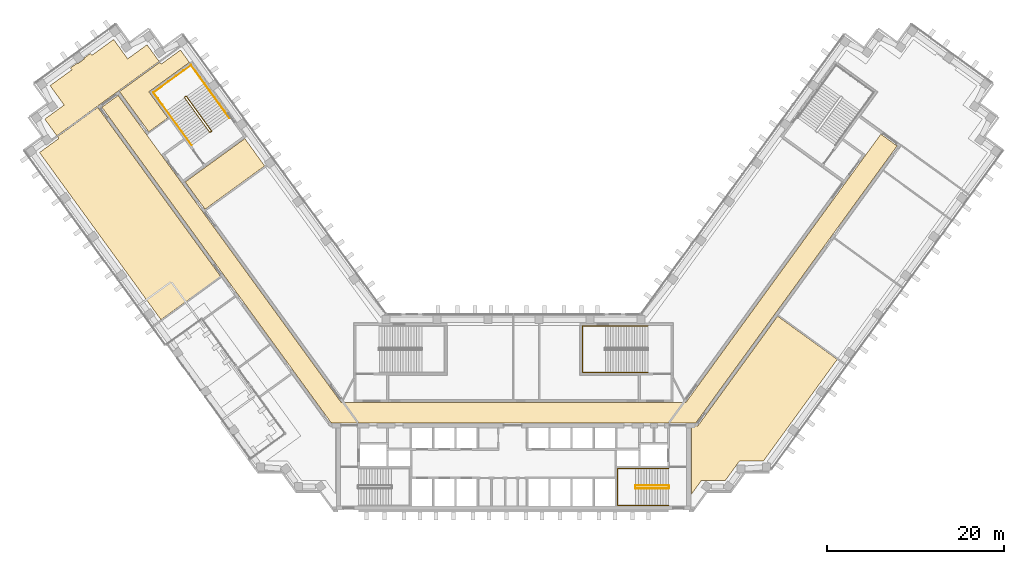
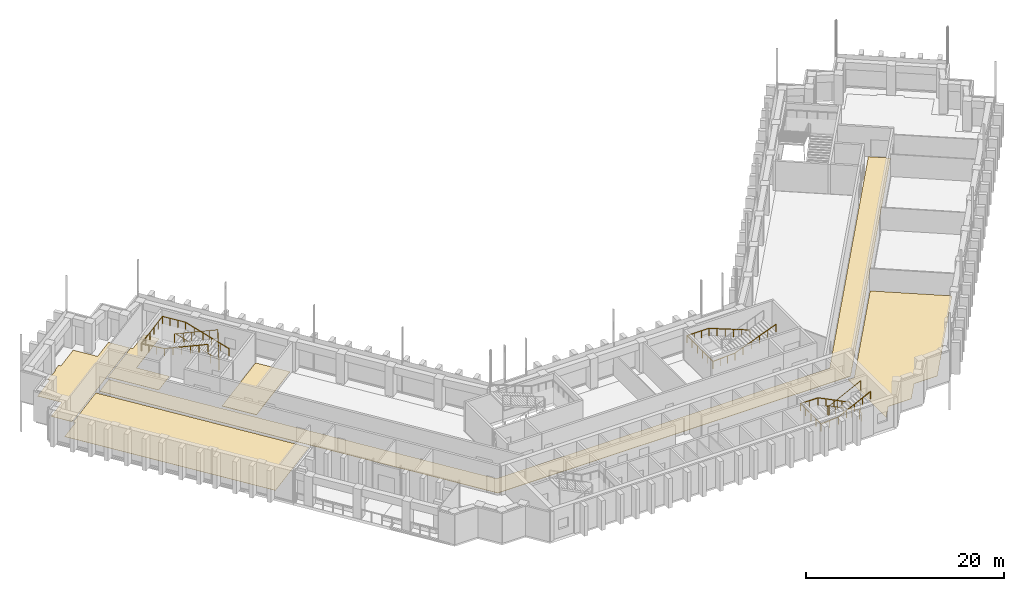
# One storey, part 17 of 18: 6 coverings, 5 railings.
"""IFC4 building model written with IfcOpenShell, lengths in metres."""

from ifc_helpers import new_model, si_unit, direction, frame, origin, origin_2d, place, context, subcontext, project, spatial, polyline, circle, outline, extrude, material, layer, layer_set, type_object, element, save


model = new_model("IFC4")

# Units and contexts
model_context = context("Model", 3, precision=1e-05, world=origin(), true_north=direction((0.0, 1.0)))
body_context = subcontext(model_context, "Body", "Model", "MODEL_VIEW")
ifc_project = project(units=[si_unit("LENGTHUNIT", "METRE"), si_unit("AREAUNIT", "SQUARE_METRE"), si_unit("VOLUMEUNIT", "CUBIC_METRE"), si_unit("PLANEANGLEUNIT", "RADIAN"), si_unit("MASSUNIT", "GRAM", prefix="KILO")], contexts=[model_context])

# Site, building, storey
site_placement = place(None, origin())
site = spatial("IfcSite", under=ifc_project, at=site_placement, CompositionType="ELEMENT")
building_placement = place(site_placement, origin())
building = spatial("IfcBuilding", under=site, at=building_placement, Name="Quipu Civic Tower", CompositionType="ELEMENT")
storey_placement = place(building_placement, frame((0.0, 0.0, 59.0)))
storey = spatial("IfcBuildingStorey", under=building, at=storey_placement, Name="L13", CompositionType="ELEMENT", Elevation=59.0)

# Coverings
ifc_material_1 = material(Name="Carpet tile on raised access floor")
ifc_layer_1 = layer(ifc_material_1, 0.02001953125)
ifc_layer_set_1 = layer_set([ifc_layer_1], Name="Carpet tile on raised access floor")
covering_type_1 = type_object("IfcCoveringType", Name="Carpet tile floor finish 20", PredefinedType="FLOORING", material=ifc_layer_set_1)
covering_1_placement = place(storey_placement, origin())
element("IfcCovering", 1, at=covering_1_placement, inside=storey, type_object=covering_type_1, Name="Carpet tile floor finish 20", PredefinedType="FLOORING", context=body_context, shape_type="SweptSolid", body=[
    extrude(outline(polyline([(-52.883056640625, 33.12890625), (-50.698974609375, 34.717041015625), (-52.284912109375, 36.90087890625), (-49.826904296875, 38.68603515625), (-49.97900390625, 38.89697265625), (-49.259033203125, 39.4208984375), (-49.236083984375, 39.388916015625), (-49.23291015625, 39.385009765625), (-49.22900390625, 39.382080078125), (-49.22607421875, 39.3779296875), (-49.220947265625, 39.3759765625), (-49.217041015625, 39.373046875), (-49.212890625, 39.37109375), (-49.2080078125, 39.3701171875), (-49.202880859375, 39.368896484375), (-49.197998046875, 39.367919921875), (-49.193115234375, 39.367919921875), (-49.18896484375, 39.368896484375), (-49.18408203125, 39.3701171875), (-49.178955078125, 39.37109375), (-49.174072265625, 39.373046875), (-49.169921875, 39.375), (-49.166015625, 39.3779296875), (-48.43798828125, 39.906982421875), (-48.43408203125, 39.909912109375), (-48.430908203125, 39.9130859375), (-48.427001953125, 39.9169921875), (-48.425048828125, 39.9208984375), (-48.422119140625, 39.926025390625), (-48.419921875, 39.929931640625), (-48.4189453125, 39.93505859375), (-48.41796875, 39.93994140625), (-48.4169921875, 39.944091796875), (-48.4169921875, 39.948974609375), (-48.41796875, 39.9541015625), (-48.4189453125, 39.958984375), (-48.419921875, 39.964111328125), (-48.422119140625, 39.968017578125), (-48.424072265625, 39.972900390625), (-48.427001953125, 39.97705078125), (-48.449951171875, 40.008056640625), (-47.72900390625, 40.531982421875), (-47.574951171875, 40.322021484375), (-45.116943359375, 42.10791015625), (-43.531982421875, 39.925048828125), (-41.346923828125, 41.510986328125), (-39.989013671875, 39.64208984375), (-51.52587890625, 31.260009765625), (-52.883056640625, 33.12890625)])), origin(), (0.0, 0.0, 1.0), 0.02001953125),
])
covering_2_placement = place(storey_placement, origin())
element("IfcCovering", 2, at=covering_2_placement, inside=storey, type_object=covering_type_1, Name="Carpet tile floor finish 20", PredefinedType="FLOORING", context=body_context, shape_type="SweptSolid", body=[
    extrude(outline(polyline([(-44.445068359375, 36.23193359375), (-39.906005859375, 39.530029296875), (-39.757080078125, 39.327880859375), (-37.573974609375, 40.9130859375), (-36.570068359375, 39.530029296875), (-41.139892578125, 36.208984375), (-38.998046875, 33.260009765625), (-41.15087890625, 31.697021484375), (-44.445068359375, 36.23193359375)])), origin(), (0.0, 0.0, 1.0), 0.02001953125),
])
covering_3_placement = place(storey_placement, origin())
element("IfcCovering", 3, at=covering_3_placement, inside=storey, type_object=covering_type_1, Name="Carpet tile floor finish 20", PredefinedType="FLOORING", context=body_context, shape_type="SweptSolid", body=[
    extrude(outline(polyline([(20.070068359375, -9.195068359375), (20.070068359375, -1.52001953125), (20.77490234375, -1.51904296875), (29.7958984375, 10.89794921875), (36.52001953125, 6.013916015625), (28.181884765625, -5.4609375), (25.48193359375, -5.4619140625), (25.2080078125, -5.840087890625), (25.205078125, -5.841064453125), (25.200927734375, -5.843017578125), (25.197021484375, -5.844970703125), (25.193115234375, -5.847900390625), (25.18896484375, -5.85205078125), (25.18603515625, -5.85498046875), (25.18310546875, -5.85888671875), (25.179931640625, -5.863037109375), (25.177978515625, -5.867919921875), (25.177001953125, -5.8720703125), (25.175048828125, -5.876953125), (25.175048828125, -5.882080078125), (25.174072265625, -5.885986328125), (23.89501953125, -7.64599609375), (21.721923828125, -7.64599609375), (21.721923828125, -7.64599609375), (21.718017578125, -7.64306640625), (21.712890625, -7.64111328125), (21.708984375, -7.638916015625), (21.7041015625, -7.637939453125), (21.698974609375, -7.636962890625), (21.694091796875, -7.635986328125), (21.68896484375, -7.636962890625), (21.68408203125, -7.636962890625), (21.679931640625, -7.637939453125), (21.675048828125, -7.639892578125), (21.669921875, -7.64111328125), (21.666015625, -7.64404296875), (21.6630859375, -7.64599609375), (21.196044921875, -7.64599609375), (20.070068359375, -9.195068359375)])), origin(), (0.0, 0.0, 1.0), 0.02001953125),
])
covering_4_placement = place(storey_placement, origin())
element("IfcCovering", 4, at=covering_4_placement, inside=storey, type_object=covering_type_1, Name="Carpet tile floor finish 20", PredefinedType="FLOORING", context=body_context, shape_type="SweptSolid", body=[
    extrude(outline(polyline([(-53.47998046875, 29.35791015625), (-51.298095703125, 30.943115234375), (-51.443115234375, 31.14599609375), (-46.904052734375, 34.444091796875), (-33.052978515625, 15.3798828125), (-39.777099609375, 10.49609375), (-53.47998046875, 29.35791015625)])), origin(), (0.0, 0.0, 1.0), 0.02001953125),
])
ifc_material_2 = material(Name="Sealed cement screed")
ifc_layer_2 = layer(ifc_material_2, 0.050048828125)
ifc_layer_set_2 = layer_set([ifc_layer_2], Name="Sealed cement screed")
covering_type_2 = type_object("IfcCoveringType", Name="Sealed screed floor finish 50", PredefinedType="FLOORING", material=ifc_layer_set_2)
covering_5_placement = place(storey_placement, origin())
element("IfcCovering", 5, at=covering_5_placement, inside=storey, type_object=covering_type_2, Name="Sealed screed floor finish 50", PredefinedType="FLOORING", context=body_context, shape_type="SweptSolid", body=[
    extrude(outline(polyline([(-37.0380859375, 26.0380859375), (-30.31494140625, 30.922119140625), (-28.0791015625, 27.843017578125), (-34.802001953125, 22.958984375), (-37.0380859375, 26.0380859375)])), origin(), (0.0, 0.0, 1.0), 0.050048828125),
])

# Railings
ifc_material_3 = material(Name="Stainless steel", Category="steel")
railing_type_1 = type_object("IfcRailingType", Name="Stair guard 1100", PredefinedType="GUARDRAIL", material=ifc_material_3)
railing_1_placement = place(storey_placement, frame((17.5, -8.199951171875, 0.15380859375)))
element("IfcRailing", 6, at=railing_1_placement, inside=storey, type_object=railing_type_1, Name="Stair 2 guard", PredefinedType="GUARDRAIL", context=body_context, shape_type="SweptSolid", body=[
    extrude(circle(Radius=0.02392578125, at=origin_2d()), frame((0.0, 0.0, 1.076171875), z_axis=(-0.895751851347, 0.0, 0.444554407028), x_axis=(0.0, -1.0, 0.0)), (0.0, 0.0, 1.0), 4.15283203125),
    extrude(circle(Radius=0.02392578125, at=origin_2d()), frame((-3.719970703125, 0.0, 2.92236328125), z_axis=(-0.707106781187, -0.707106781187, 0.0), x_axis=(0.707106781187, -0.707106781187, 0.0)), (0.0, 0.0, 1.0), 0.07080078125),
    extrude(circle(Radius=0.02392578125, at=origin_2d()), frame((-3.77001953125, -0.050048828125, 2.92236328125), z_axis=(0.0, -1.0, 0.0), x_axis=(1.0, 0.0, 0.0)), (0.0, 0.0, 1.0), 0.25),
    extrude(circle(Radius=0.02392578125, at=origin_2d()), frame((-3.77001953125, -0.300048828125, 2.92236328125), z_axis=(0.295599637079, -0.295599637079, 0.908428152975), x_axis=(0.707106781187, 0.707106781187, 0.0)), (0.0, 0.0, 1.0), 0.16943359375),
    extrude(circle(Radius=0.02392578125, at=origin_2d()), frame((-3.719970703125, -0.35009765625, 3.076171875), z_axis=(0.895751851347, 0.0, 0.444554407028), x_axis=(0.0, 1.0, 0.0)), (0.0, 0.0, 1.0), 4.15283203125),
    extrude(circle(Radius=0.02392578125, at=origin_2d()), frame((0.0, -0.35009765625, 4.92236328125), z_axis=(0.012476181752, 0.074796231092, -0.997120789425), x_axis=(-0.986372223864, 0.164529134168, 0.0)), (0.0, 0.0, 1.0), 4.011474609375),
    extrude(circle(Radius=0.02392578125, at=origin_2d()), frame((0.050048828125, -0.050048828125, 0.92236328125), z_axis=(0.0, -1.0, 0.0), x_axis=(1.0, 0.0, 0.0)), (0.0, 0.0, 1.0), 0.25),
    extrude(circle(Radius=0.02099609375, at=origin_2d()), origin(), (0.0, 0.0, 1.0), 1.052001953125),
    extrude(circle(Radius=0.02099609375, at=origin_2d()), frame((-0.929931640625, 0.0, 0.46142578125)), (0.0, 0.0, 1.0), 1.052001953125),
    extrude(circle(Radius=0.02099609375, at=origin_2d()), frame((-1.85986328125, 0.0, 0.923095703125)), (0.0, 0.0, 1.0), 1.052001953125),
    extrude(circle(Radius=0.02099609375, at=origin_2d()), frame((-2.7900390625, 0.0, 1.384765625)), (0.0, 0.0, 1.0), 1.052001953125),
    extrude(circle(Radius=0.02099609375, at=origin_2d()), frame((-3.719970703125, 0.0, 1.84619140625)), (0.0, 0.0, 1.0), 1.052001953125),
    extrude(circle(Radius=0.02099609375, at=origin_2d()), frame((-3.77001953125, -0.050048828125, 1.84619140625)), (0.0, 0.0, 1.0), 1.052001953125),
    extrude(circle(Radius=0.02099609375, at=origin_2d()), frame((-3.77001953125, -0.300048828125, 1.84619140625)), (0.0, 0.0, 1.0), 1.052001953125),
    extrude(circle(Radius=0.02099609375, at=origin_2d()), frame((-3.719970703125, -0.35009765625, 2.0)), (0.0, 0.0, 1.0), 1.052001953125),
    extrude(circle(Radius=0.02099609375, at=origin_2d()), frame((-2.7900390625, -0.35009765625, 2.46142578125)), (0.0, 0.0, 1.0), 1.052001953125),
    extrude(circle(Radius=0.02099609375, at=origin_2d()), frame((-1.85986328125, -0.35009765625, 2.923095703125)), (0.0, 0.0, 1.0), 1.052001953125),
    extrude(circle(Radius=0.02099609375, at=origin_2d()), frame((-0.929931640625, -0.35009765625, 3.384765625)), (0.0, 0.0, 1.0), 1.052001953125),
    extrude(circle(Radius=0.02099609375, at=origin_2d()), frame((0.0, -0.35009765625, 3.84619140625)), (0.0, 0.0, 1.0), 1.052001953125),
    extrude(circle(Radius=0.02099609375, at=origin_2d()), frame((0.012451171875, -0.275146484375, 2.84619140625)), (0.0, 0.0, 1.0), 1.052001953125),
    extrude(circle(Radius=0.02099609375, at=origin_2d()), frame((0.02490234375, -0.2001953125, 1.84619140625)), (0.0, 0.0, 1.0), 1.052001953125),
    extrude(circle(Radius=0.02099609375, at=origin_2d()), frame((0.03759765625, -0.125, 0.84619140625)), (0.0, 0.0, 1.0), 1.052001953125),
    extrude(circle(Radius=0.02099609375, at=origin_2d()), frame((0.050048828125, -0.050048828125, -0.15380859375)), (0.0, 0.0, 1.0), 1.052001953125),
    extrude(circle(Radius=0.02099609375, at=origin_2d()), frame((0.050048828125, -0.300048828125, -0.15380859375)), (0.0, 0.0, 1.0), 1.052001953125),
])
railing_2_placement = place(storey_placement, frame((-34.078857421875, 31.79736328125, 0.11767578125)))
element("IfcRailing", 7, at=railing_2_placement, inside=storey, type_object=railing_type_1, Name="Stair 6 guard", PredefinedType="GUARDRAIL", context=body_context, shape_type="SweptSolid", body=[
    extrude(circle(Radius=0.02392578125, at=origin_2d()), frame((0.0, 0.0, 1.076171875), z_axis=(-0.54720100349, 0.753182689643, 0.365084781664), x_axis=(-0.809026317077, -0.587772420479, 0.0)), (0.0, 0.0, 1.0), 5.15576171875),
    extrude(circle(Radius=0.02392578125, at=origin_2d()), frame((-2.8212890625, 3.88330078125, 2.95849609375), z_axis=(-0.987846838465, 0.155430446612, 0.0), x_axis=(-0.155430446612, -0.987846838465, 0.0)), (0.0, 0.0, 1.0), 0.07080078125),
    extrude(circle(Radius=0.02392578125, at=origin_2d()), frame((-2.89111328125, 3.894287109375, 2.95849609375), z_axis=(-0.809649071907, -0.586914287065, 0.0), x_axis=(0.586914287065, -0.809649071907, 0.0)), (0.0, 0.0, 1.0), 0.150146484375),
    extrude(circle(Radius=0.02392578125, at=origin_2d()), frame((-3.0126953125, 3.80615234375, 2.95849609375), z_axis=(-0.080033047627, -0.508654480474, 0.857242865693), x_axis=(0.987846838465, -0.155430446612, 0.0)), (0.0, 0.0, 1.0), 0.13720703125),
    extrude(circle(Radius=0.02392578125, at=origin_2d()), frame((-3.023681640625, 3.736328125, 3.076171875), z_axis=(0.54720100349, -0.753182689643, 0.365084781664), x_axis=(0.809026317077, 0.587772420479, 0.0)), (0.0, 0.0, 1.0), 5.15576171875),
    extrude(circle(Radius=0.02392578125, at=origin_2d()), frame((-0.202392578125, -0.14697265625, 4.95849609375), z_axis=(0.047788004556, 0.019261491632, -0.998671768681), x_axis=(-0.373837031195, 0.92749440651, 0.0)), (0.0, 0.0, 1.0), 4.00537109375),
    extrude(circle(Radius=0.02392578125, at=origin_2d()), frame((-0.010986328125, -0.06982421875, 0.95849609375), z_axis=(-0.809087927272, -0.587687609145, 0.0), x_axis=(0.587687609145, -0.809087927272, 0.0)), (0.0, 0.0, 1.0), 0.14990234375),
    extrude(circle(Radius=0.02099609375, at=origin_2d()), origin(), (0.0, 0.0, 1.0), 1.052001953125),
    extrude(circle(Radius=0.02099609375, at=origin_2d()), frame((-0.564208984375, 0.776611328125, 0.37646484375)), (0.0, 0.0, 1.0), 1.052001953125),
    extrude(circle(Radius=0.02099609375, at=origin_2d()), frame((-1.12841796875, 1.55322265625, 0.7529296875)), (0.0, 0.0, 1.0), 1.052001953125),
    extrude(circle(Radius=0.02099609375, at=origin_2d()), frame((-1.69287109375, 2.330078125, 1.12939453125)), (0.0, 0.0, 1.0), 1.052001953125),
    extrude(circle(Radius=0.02099609375, at=origin_2d()), frame((-2.257080078125, 3.106689453125, 1.505859375)), (0.0, 0.0, 1.0), 1.052001953125),
    extrude(circle(Radius=0.02099609375, at=origin_2d()), frame((-2.8212890625, 3.88330078125, 1.88232421875)), (0.0, 0.0, 1.0), 1.052001953125),
    extrude(circle(Radius=0.02099609375, at=origin_2d()), frame((-2.89111328125, 3.894287109375, 1.88232421875)), (0.0, 0.0, 1.0), 1.052001953125),
    extrude(circle(Radius=0.02099609375, at=origin_2d()), frame((-3.0126953125, 3.80615234375, 1.88232421875)), (0.0, 0.0, 1.0), 1.052001953125),
    extrude(circle(Radius=0.02099609375, at=origin_2d()), frame((-3.023681640625, 3.736328125, 2.0)), (0.0, 0.0, 1.0), 1.052001953125),
    extrude(circle(Radius=0.02099609375, at=origin_2d()), frame((-2.45947265625, 2.959716796875, 2.37646484375)), (0.0, 0.0, 1.0), 1.052001953125),
    extrude(circle(Radius=0.02099609375, at=origin_2d()), frame((-1.895263671875, 2.18310546875, 2.7529296875)), (0.0, 0.0, 1.0), 1.052001953125),
    extrude(circle(Radius=0.02099609375, at=origin_2d()), frame((-1.330810546875, 1.40625, 3.12939453125)), (0.0, 0.0, 1.0), 1.052001953125),
    extrude(circle(Radius=0.02099609375, at=origin_2d()), frame((-0.7666015625, 0.629638671875, 3.505859375)), (0.0, 0.0, 1.0), 1.052001953125),
    extrude(circle(Radius=0.02099609375, at=origin_2d()), frame((-0.202392578125, -0.14697265625, 3.88232421875)), (0.0, 0.0, 1.0), 1.052001953125),
    extrude(circle(Radius=0.02099609375, at=origin_2d()), frame((-0.154541015625, -0.127685546875, 2.88232421875)), (0.0, 0.0, 1.0), 1.052001953125),
    extrude(circle(Radius=0.02099609375, at=origin_2d()), frame((-0.106689453125, -0.1083984375, 1.88232421875)), (0.0, 0.0, 1.0), 1.052001953125),
    extrude(circle(Radius=0.02099609375, at=origin_2d()), frame((-0.058837890625, -0.089111328125, 0.88232421875)), (0.0, 0.0, 1.0), 1.052001953125),
    extrude(circle(Radius=0.02099609375, at=origin_2d()), frame((-0.010986328125, -0.06982421875, -0.11767578125)), (0.0, 0.0, 1.0), 1.052001953125),
    extrude(circle(Radius=0.02099609375, at=origin_2d()), frame((-0.13232421875, -0.157958984375, -0.11767578125)), (0.0, 0.0, 1.0), 1.052001953125),
])
ifc_material_4 = material(Name="Stainless steel", Category="steel")
railing_type_2 = type_object("IfcRailingType", Name="Stair handrail", PredefinedType="HANDRAIL", material=ifc_material_4)
railing_3_placement = place(storey_placement, frame((17.5, -6.300048828125, 0.15380859375)))
element("IfcRailing", 8, at=railing_3_placement, inside=storey, type_object=railing_type_2, Name="Stair 2 handrail", PredefinedType="HANDRAIL", context=body_context, shape_type="SweptSolid", body=[
    extrude(circle(Radius=0.02392578125, at=origin_2d()), frame((0.0, 0.0, 0.8759765625), z_axis=(-0.895751851347, 0.0, 0.444554407028), x_axis=(0.0, -1.0, 0.0)), (0.0, 0.0, 1.0), 4.15283203125),
    extrude(circle(Radius=0.02392578125, at=origin_2d()), frame((-3.719970703125, 0.0, 2.72216796875), z_axis=(-1.0, 0.0, 0.0), x_axis=(0.0, -1.0, 0.0)), (0.0, 0.0, 1.0), 2.030029296875),
    extrude(circle(Radius=0.02392578125, at=origin_2d()), frame((-5.75, 0.0, 2.72216796875), z_axis=(0.0, -1.0, 0.0), x_axis=(1.0, 0.0, 0.0)), (0.0, 0.0, 1.0), 4.14990234375),
    extrude(circle(Radius=0.02392578125, at=origin_2d()), frame((-5.75, -4.14990234375, 2.72216796875), z_axis=(0.997142003663, 0.0, 0.075550145798), x_axis=(0.0, 1.0, 0.0)), (0.0, 0.0, 1.0), 2.035888671875),
    extrude(circle(Radius=0.02392578125, at=origin_2d()), frame((-3.719970703125, -4.14990234375, 2.8759765625), z_axis=(0.895751851347, 0.0, 0.444554407028), x_axis=(0.0, 1.0, 0.0)), (0.0, 0.0, 1.0), 4.15283203125),
    extrude(circle(Radius=0.02099609375, at=origin_2d()), origin(), (0.0, 0.0, 1.0), 0.851806640625),
    extrude(circle(Radius=0.02099609375, at=origin_2d()), frame((-0.929931640625, 0.0, 0.46142578125)), (0.0, 0.0, 1.0), 0.851806640625),
    extrude(circle(Radius=0.02099609375, at=origin_2d()), frame((-1.85986328125, 0.0, 0.923095703125)), (0.0, 0.0, 1.0), 0.851806640625),
    extrude(circle(Radius=0.02099609375, at=origin_2d()), frame((-2.7900390625, 0.0, 1.384765625)), (0.0, 0.0, 1.0), 0.851806640625),
    extrude(circle(Radius=0.02099609375, at=origin_2d()), frame((-3.719970703125, 0.0, 1.84619140625)), (0.0, 0.0, 1.0), 0.851806640625),
    extrude(circle(Radius=0.02099609375, at=origin_2d()), frame((-4.73486328125, 0.0, 1.84619140625)), (0.0, 0.0, 1.0), 0.851806640625),
    extrude(circle(Radius=0.02099609375, at=origin_2d()), frame((-5.75, 0.0, 1.84619140625)), (0.0, 0.0, 1.0), 0.851806640625),
    extrude(circle(Radius=0.02099609375, at=origin_2d()), frame((-5.75, -1.03759765625, 1.84619140625)), (0.0, 0.0, 1.0), 0.851806640625),
    extrude(circle(Radius=0.02099609375, at=origin_2d()), frame((-5.75, -2.074951171875, 1.84619140625)), (0.0, 0.0, 1.0), 0.851806640625),
    extrude(circle(Radius=0.02099609375, at=origin_2d()), frame((-5.75, -3.1123046875, 1.84619140625)), (0.0, 0.0, 1.0), 0.851806640625),
    extrude(circle(Radius=0.02099609375, at=origin_2d()), frame((-5.75, -4.14990234375, 1.84619140625)), (0.0, 0.0, 1.0), 0.851806640625),
    extrude(circle(Radius=0.02099609375, at=origin_2d()), frame((-4.73486328125, -4.14990234375, 1.923095703125)), (0.0, 0.0, 1.0), 0.851806640625),
    extrude(circle(Radius=0.02099609375, at=origin_2d()), frame((-3.719970703125, -4.14990234375, 2.0)), (0.0, 0.0, 1.0), 0.851806640625),
    extrude(circle(Radius=0.02099609375, at=origin_2d()), frame((-2.7900390625, -4.14990234375, 2.46142578125)), (0.0, 0.0, 1.0), 0.851806640625),
    extrude(circle(Radius=0.02099609375, at=origin_2d()), frame((-1.85986328125, -4.14990234375, 2.923095703125)), (0.0, 0.0, 1.0), 0.851806640625),
    extrude(circle(Radius=0.02099609375, at=origin_2d()), frame((-0.929931640625, -4.14990234375, 3.384765625)), (0.0, 0.0, 1.0), 0.851806640625),
    extrude(circle(Radius=0.02099609375, at=origin_2d()), frame((0.0, -4.14990234375, 3.84619140625)), (0.0, 0.0, 1.0), 0.851806640625),
])
railing_4_placement = place(storey_placement, frame((15.14990234375, 9.800048828125, 0.11767578125)))
element("IfcRailing", 9, at=railing_4_placement, inside=storey, type_object=railing_type_2, Name="Stair 4 handrail", PredefinedType="HANDRAIL", context=body_context, shape_type="SweptSolid", body=[
    extrude(circle(Radius=0.02392578125, at=origin_2d()), frame((0.0, 0.0, 0.8759765625), z_axis=(-0.930970042603, 0.0, 0.365095576219), x_axis=(0.0, -1.0, 0.0)), (0.0, 0.0, 1.0), 5.15576171875),
    extrude(circle(Radius=0.02392578125, at=origin_2d()), frame((-4.7998046875, 0.0, 2.75830078125), z_axis=(-1.0, 0.0, 0.0), x_axis=(0.0, -1.0, 0.0)), (0.0, 0.0, 1.0), 2.550048828125),
    extrude(circle(Radius=0.02392578125, at=origin_2d()), frame((-7.349853515625, 0.0, 2.75830078125), z_axis=(0.0, -1.0, 0.0), x_axis=(1.0, 0.0, 0.0)), (0.0, 0.0, 1.0), 5.25),
    extrude(circle(Radius=0.02392578125, at=origin_2d()), frame((-7.349853515625, -5.25, 2.75830078125), z_axis=(0.998936948642, 0.0, 0.04609742549), x_axis=(0.0, 1.0, 0.0)), (0.0, 0.0, 1.0), 2.552734375),
    extrude(circle(Radius=0.02392578125, at=origin_2d()), frame((-4.7998046875, -5.25, 2.8759765625), z_axis=(0.930970042603, 0.0, 0.365095576219), x_axis=(0.0, 1.0, 0.0)), (0.0, 0.0, 1.0), 5.15576171875),
    extrude(circle(Radius=0.02099609375, at=origin_2d()), origin(), (0.0, 0.0, 1.0), 0.851806640625),
    extrude(circle(Radius=0.02099609375, at=origin_2d()), frame((-0.9599609375, 0.0, 0.37646484375)), (0.0, 0.0, 1.0), 0.851806640625),
    extrude(circle(Radius=0.02099609375, at=origin_2d()), frame((-1.919921875, 0.0, 0.7529296875)), (0.0, 0.0, 1.0), 0.851806640625),
    extrude(circle(Radius=0.02099609375, at=origin_2d()), frame((-2.8798828125, 0.0, 1.12939453125)), (0.0, 0.0, 1.0), 0.851806640625),
    extrude(circle(Radius=0.02099609375, at=origin_2d()), frame((-3.83984375, 0.0, 1.505859375)), (0.0, 0.0, 1.0), 0.851806640625),
    extrude(circle(Radius=0.02099609375, at=origin_2d()), frame((-4.7998046875, 0.0, 1.88232421875)), (0.0, 0.0, 1.0), 0.851806640625),
    extrude(circle(Radius=0.02099609375, at=origin_2d()), frame((-5.64990234375, 0.0, 1.88232421875)), (0.0, 0.0, 1.0), 0.851806640625),
    extrude(circle(Radius=0.02099609375, at=origin_2d()), frame((-6.499755859375, 0.0, 1.88232421875)), (0.0, 0.0, 1.0), 0.851806640625),
    extrude(circle(Radius=0.02099609375, at=origin_2d()), frame((-7.349853515625, 0.0, 1.88232421875)), (0.0, 0.0, 1.0), 0.851806640625),
    extrude(circle(Radius=0.02099609375, at=origin_2d()), frame((-7.349853515625, -1.050048828125, 1.88232421875)), (0.0, 0.0, 1.0), 0.851806640625),
    extrude(circle(Radius=0.02099609375, at=origin_2d()), frame((-7.349853515625, -2.10009765625, 1.88232421875)), (0.0, 0.0, 1.0), 0.851806640625),
    extrude(circle(Radius=0.02099609375, at=origin_2d()), frame((-7.349853515625, -3.14990234375, 1.88232421875)), (0.0, 0.0, 1.0), 0.851806640625),
    extrude(circle(Radius=0.02099609375, at=origin_2d()), frame((-7.349853515625, -4.199951171875, 1.88232421875)), (0.0, 0.0, 1.0), 0.851806640625),
    extrude(circle(Radius=0.02099609375, at=origin_2d()), frame((-7.349853515625, -5.25, 1.88232421875)), (0.0, 0.0, 1.0), 0.851806640625),
    extrude(circle(Radius=0.02099609375, at=origin_2d()), frame((-6.499755859375, -5.25, 1.921630859375)), (0.0, 0.0, 1.0), 0.851806640625),
    extrude(circle(Radius=0.02099609375, at=origin_2d()), frame((-5.64990234375, -5.25, 1.960693359375)), (0.0, 0.0, 1.0), 0.851806640625),
    extrude(circle(Radius=0.02099609375, at=origin_2d()), frame((-4.7998046875, -5.25, 2.0)), (0.0, 0.0, 1.0), 0.851806640625),
    extrude(circle(Radius=0.02099609375, at=origin_2d()), frame((-3.83984375, -5.25, 2.37646484375)), (0.0, 0.0, 1.0), 0.851806640625),
    extrude(circle(Radius=0.02099609375, at=origin_2d()), frame((-2.8798828125, -5.25, 2.7529296875)), (0.0, 0.0, 1.0), 0.851806640625),
    extrude(circle(Radius=0.02099609375, at=origin_2d()), frame((-1.919921875, -5.25, 3.12939453125)), (0.0, 0.0, 1.0), 0.851806640625),
    extrude(circle(Radius=0.02099609375, at=origin_2d()), frame((-0.9599609375, -5.25, 3.505859375)), (0.0, 0.0, 1.0), 0.851806640625),
    extrude(circle(Radius=0.02099609375, at=origin_2d()), frame((0.0, -5.25, 3.88232421875)), (0.0, 0.0, 1.0), 0.851806640625),
])
railing_5_placement = place(storey_placement, frame((-32.056396484375, 33.266845703125, 0.11767578125)))
element("IfcRailing", 10, at=railing_5_placement, inside=storey, type_object=railing_type_2, Name="Stair 6 handrail", PredefinedType="HANDRAIL", context=body_context, shape_type="SweptSolid", body=[
    extrude(circle(Radius=0.02392578125, at=origin_2d()), frame((0.0, 0.0, 0.8759765625), z_axis=(-0.54720100349, 0.753182689643, 0.365084781664), x_axis=(-0.809026317077, -0.587772420479, 0.0)), (0.0, 0.0, 1.0), 5.15576171875),
    extrude(circle(Radius=0.02392578125, at=origin_2d()), frame((-2.8212890625, 3.88330078125, 2.75830078125), z_axis=(-0.587767432704, 0.809029940764, 0.0), x_axis=(-0.809029940764, -0.587767432704, 0.0)), (0.0, 0.0, 1.0), 2.550048828125),
    extrude(circle(Radius=0.02392578125, at=origin_2d()), frame((-4.320068359375, 5.9462890625, 2.75830078125), z_axis=(-0.809009483706, -0.587795589702, 0.0), x_axis=(0.587795589702, -0.809009483706, 0.0)), (0.0, 0.0, 1.0), 5.25),
    extrude(circle(Radius=0.02392578125, at=origin_2d()), frame((-8.5673828125, 2.8603515625, 2.75830078125), z_axis=(0.587142558822, -0.808169835812, 0.046099155132), x_axis=(0.809029940764, 0.587767432704, 0.0)), (0.0, 0.0, 1.0), 2.552734375),
    extrude(circle(Radius=0.02392578125, at=origin_2d()), frame((-7.068603515625, 0.79736328125, 2.8759765625), z_axis=(0.54720100349, -0.753182689643, 0.365084781664), x_axis=(0.809026317077, 0.587772420479, 0.0)), (0.0, 0.0, 1.0), 5.15576171875),
    extrude(circle(Radius=0.02099609375, at=origin_2d()), origin(), (0.0, 0.0, 1.0), 0.851806640625),
    extrude(circle(Radius=0.02099609375, at=origin_2d()), frame((-0.564208984375, 0.776611328125, 0.37646484375)), (0.0, 0.0, 1.0), 0.851806640625),
    extrude(circle(Radius=0.02099609375, at=origin_2d()), frame((-1.12841796875, 1.55322265625, 0.7529296875)), (0.0, 0.0, 1.0), 0.851806640625),
    extrude(circle(Radius=0.02099609375, at=origin_2d()), frame((-1.69287109375, 2.330078125, 1.12939453125)), (0.0, 0.0, 1.0), 0.851806640625),
    extrude(circle(Radius=0.02099609375, at=origin_2d()), frame((-2.257080078125, 3.106689453125, 1.505859375)), (0.0, 0.0, 1.0), 0.851806640625),
    extrude(circle(Radius=0.02099609375, at=origin_2d()), frame((-2.8212890625, 3.88330078125, 1.88232421875)), (0.0, 0.0, 1.0), 0.851806640625),
    extrude(circle(Radius=0.02099609375, at=origin_2d()), frame((-3.32080078125, 4.571044921875, 1.88232421875)), (0.0, 0.0, 1.0), 0.851806640625),
    extrude(circle(Radius=0.02099609375, at=origin_2d()), frame((-3.820556640625, 5.258544921875, 1.88232421875)), (0.0, 0.0, 1.0), 0.851806640625),
    extrude(circle(Radius=0.02099609375, at=origin_2d()), frame((-4.320068359375, 5.9462890625, 1.88232421875)), (0.0, 0.0, 1.0), 0.851806640625),
    extrude(circle(Radius=0.02099609375, at=origin_2d()), frame((-5.16943359375, 5.3291015625, 1.88232421875)), (0.0, 0.0, 1.0), 0.851806640625),
    extrude(circle(Radius=0.02099609375, at=origin_2d()), frame((-6.01904296875, 4.7119140625, 1.88232421875)), (0.0, 0.0, 1.0), 0.851806640625),
    extrude(circle(Radius=0.02099609375, at=origin_2d()), frame((-6.868408203125, 4.0947265625, 1.88232421875)), (0.0, 0.0, 1.0), 0.851806640625),
    extrude(circle(Radius=0.02099609375, at=origin_2d()), frame((-7.718017578125, 3.4775390625, 1.88232421875)), (0.0, 0.0, 1.0), 0.851806640625),
    extrude(circle(Radius=0.02099609375, at=origin_2d()), frame((-8.5673828125, 2.8603515625, 1.88232421875)), (0.0, 0.0, 1.0), 0.851806640625),
    extrude(circle(Radius=0.02099609375, at=origin_2d()), frame((-8.06787109375, 2.172607421875, 1.921630859375)), (0.0, 0.0, 1.0), 0.851806640625),
    extrude(circle(Radius=0.02099609375, at=origin_2d()), frame((-7.568115234375, 1.485107421875, 1.960693359375)), (0.0, 0.0, 1.0), 0.851806640625),
    extrude(circle(Radius=0.02099609375, at=origin_2d()), frame((-7.068603515625, 0.79736328125, 2.0)), (0.0, 0.0, 1.0), 0.851806640625),
    extrude(circle(Radius=0.02099609375, at=origin_2d()), frame((-6.50439453125, 0.020751953125, 2.37646484375)), (0.0, 0.0, 1.0), 0.851806640625),
    extrude(circle(Radius=0.02099609375, at=origin_2d()), frame((-5.940185546875, -0.755859375, 2.7529296875)), (0.0, 0.0, 1.0), 0.851806640625),
    extrude(circle(Radius=0.02099609375, at=origin_2d()), frame((-5.375732421875, -1.53271484375, 3.12939453125)), (0.0, 0.0, 1.0), 0.851806640625),
    extrude(circle(Radius=0.02099609375, at=origin_2d()), frame((-4.8115234375, -2.309326171875, 3.505859375)), (0.0, 0.0, 1.0), 0.851806640625),
    extrude(circle(Radius=0.02099609375, at=origin_2d()), frame((-4.247314453125, -3.0859375, 3.88232421875)), (0.0, 0.0, 1.0), 0.851806640625),
])

# Covering
ifc_material_5 = material(Name="Terrazzo floor finish")
ifc_layer_3 = layer(ifc_material_5, 0.0400390625)
ifc_layer_set_3 = layer_set([ifc_layer_3], Name="Terrazzo floor finish")
covering_type_3 = type_object("IfcCoveringType", Name="Terrazzo floor finish 40", PredefinedType="FLOORING", material=ifc_layer_set_3)
covering_6_placement = place(storey_placement, origin())
element("IfcCovering", 11, at=covering_6_placement, inside=storey, type_object=covering_type_3, Name="Terrazzo floor finish 40", PredefinedType="FLOORING", context=body_context, shape_type="SweptSolid", body=[
    extrude(outline(polyline([(20.574951171875, -1.1298828125), (-20.574951171875, -1.1298828125), (-46.44091796875, 34.471923828125), (-44.613037109375, 35.800048828125), (-19.425048828125, 1.1298828125), (19.425048828125, 1.1298828125), (41.43896484375, 31.430908203125), (43.26708984375, 30.10302734375), (20.574951171875, -1.1298828125)])), origin(), (0.0, 0.0, 1.0), 0.0400390625),
])

save(model, "model.ifc")
